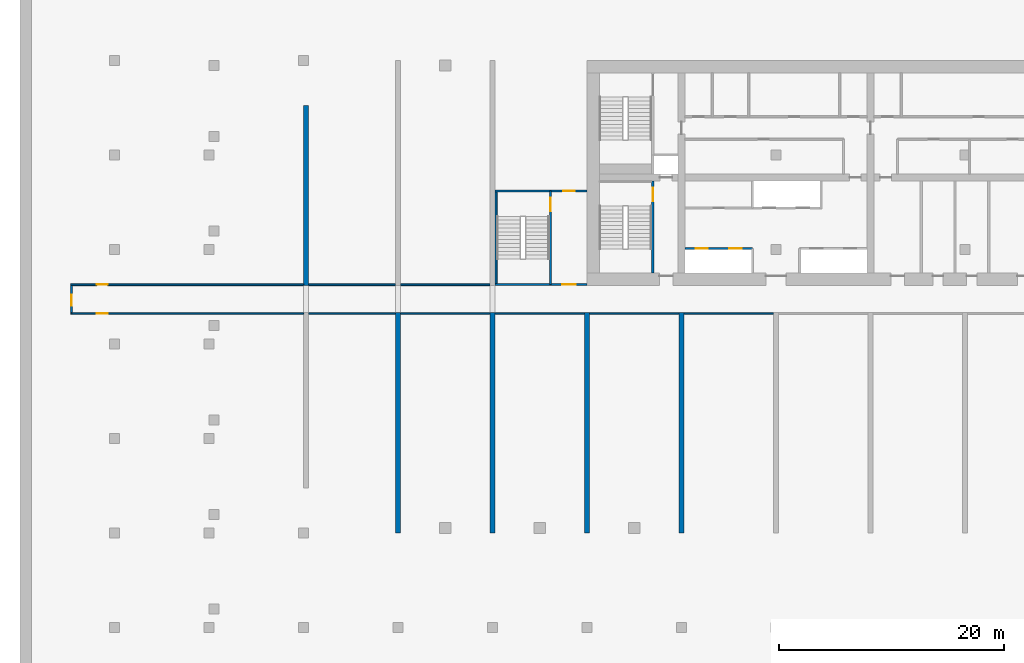
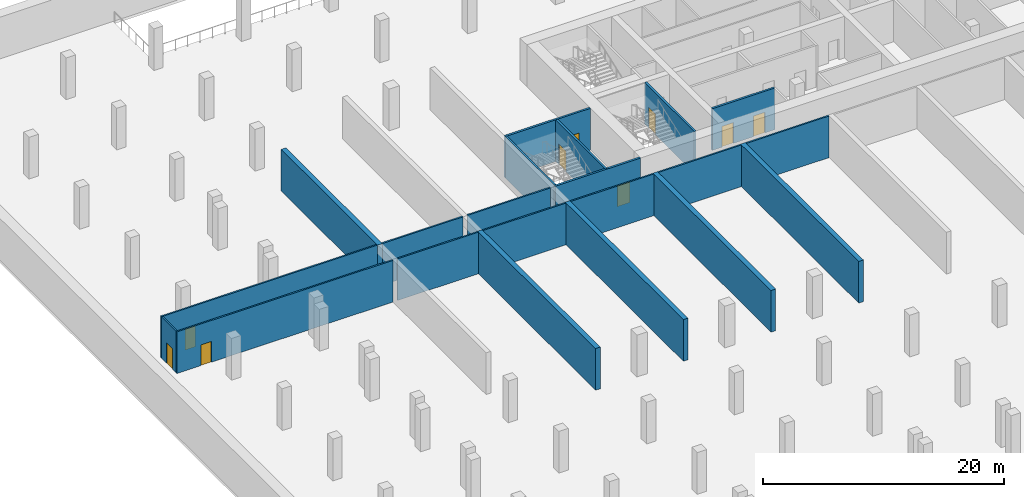
# One storey, part 3 of 13: 21 walls, 9 doors, 9 openings.
"""IFC4 building model written with IfcOpenShell, lengths in metres."""

from ifc_helpers import new_model, si_unit, direction, frame, frame_2d, origin, place, context, subcontext, project, spatial, rectangle, extrude, source, transform, mapped, material, layer, layer_set, type_object, element, fill, save


model = new_model("IFC4")

# Units and contexts
model_context = context("Model", 3, precision=1e-05, world=origin(), true_north=direction((0.0, 1.0)))
body_context = subcontext(model_context, "Body", "Model", "MODEL_VIEW")
ifc_project = project(units=[si_unit("LENGTHUNIT", "METRE"), si_unit("AREAUNIT", "SQUARE_METRE"), si_unit("VOLUMEUNIT", "CUBIC_METRE"), si_unit("PLANEANGLEUNIT", "RADIAN"), si_unit("MASSUNIT", "GRAM", prefix="KILO")], contexts=[model_context])

# Site, building, storey
site_placement = place(None, origin())
site = spatial("IfcSite", under=ifc_project, at=site_placement, CompositionType="ELEMENT")
building_placement = place(site_placement, origin())
building = spatial("IfcBuilding", under=site, at=building_placement, Name="Vanashikhar Sky Hotel", CompositionType="ELEMENT")
storey_placement = place(building_placement, frame((0.0, 0.0, -9.0)))
storey = spatial("IfcBuildingStorey", under=building, at=storey_placement, Name="B2", CompositionType="ELEMENT", Elevation=-9.0)

# Walls
ifc_material_1 = material(Name="Concrete M80", Category="concrete")
ifc_layer_1 = layer(ifc_material_1, 0.449951171875)
ifc_layer_set_1 = layer_set([ifc_layer_1], Name="RC shear wall 450 Concrete M80")
wall_type_1 = type_object("IfcWallType", Name="RC shear wall 450 Concrete M80", PredefinedType="SHEAR", material=ifc_layer_set_1)
shared_shape_1 = source(origin(), body_context, "Body", "SweptSolid", [
    extrude(rectangle(XDim=16.0, YDim=0.449951171875, at=frame_2d((8.0, 0.0))), origin(), (0.0, 0.0, 1.0), 4.219970703125),
])
wall_1_placement = place(storey_placement, frame((0.22509765625, 22.0, 0.0), z_axis=(0.0, 0.0, 1.0), x_axis=(0.0, 1.0, 0.0)))
element("IfcWall", 1, at=wall_1_placement, inside=storey, type_object=wall_type_1, Name="CW-B2-XW01-2", PredefinedType="SHEAR", context=body_context, shape_type="MappedRepresentation", body=[
    mapped(shared_shape_1, transform((0.0, 0.0, 0.0), scale=1.0)),
])
shared_shape_2 = source(origin(), body_context, "Body", "SweptSolid", [
    extrude(rectangle(XDim=19.60009765625, YDim=0.449951171875, at=frame_2d((9.800048828125, 0.0))), origin(), (0.0, 0.0, 1.0), 4.219970703125),
])
for number, where, z_axis, x_axis, name in (
    (2, (8.39990234375, 0.0, 0.0), (0.0, 0.0, 1.0), (0.0, 1.0, 0.0), "CW-B2-XW02-1"),
    (3, (16.800048828125, 0.0, 0.0), (0.0, 0.0, 1.0), (0.0, 1.0, 0.0), "CW-B2-XW03-1"),
    (4, (25.199951171875, 0.0, 0.0), (0.0, 0.0, 1.0), (0.0, 1.0, 0.0), "CW-B2-XW04-1"),
    (5, (33.60009765625, 0.0, 0.0), (0.0, 0.0, 1.0), (0.0, 1.0, 0.0), "CW-B2-XW05-1"),
):
    element("IfcWall", number, at=place(storey_placement, frame(where, z_axis=z_axis, x_axis=x_axis)), inside=storey, type_object=wall_type_1, Name=name, PredefinedType="SHEAR", context=body_context, shape_type="MappedRepresentation", body=[
        mapped(shared_shape_2, transform((0.0, 0.0, 0.0), scale=1.0)),
    ])

# Wall, openings, doors
ifc_material_2 = material(Name="Concrete M40", Category="concrete")
ifc_layer_2 = layer(ifc_material_2, 0.199951171875)
ifc_layer_set_2 = layer_set([ifc_layer_2], Name="Shaft wall 200")
wall_type_2 = type_object("IfcWallType", Name="Shaft wall 200", PredefinedType="SOLIDWALL", material=ifc_layer_set_2)
shared_shape_3 = source(origin(), body_context, "Body", "SweptSolid", [
    extrude(rectangle(XDim=6.0, YDim=0.199951171875, at=frame_2d((3.0, 0.0))), origin(), (0.0, 0.0, 1.0), 4.219970703125),
])
wall_2_placement = place(storey_placement, frame((33.89990234375, 25.300048828125, 0.0), z_axis=(0.0, 0.0, 1.0), x_axis=(1.0, 0.0, 0.0)))
wall_2 = element("IfcWall", 6, at=wall_2_placement, inside=storey, type_object=wall_type_2, Name="Shaft wall 200", PredefinedType="SOLIDWALL", context=body_context, shape_type="MappedRepresentation", body=[
    mapped(shared_shape_3, transform((0.0, 0.0, 0.0), scale=1.0)),
])
shared_shape_4 = source(origin(), body_context, "Body", "SweptSolid", [
    extrude(rectangle(XDim=1.10009765625, YDim=2.10009765625, at=frame_2d((0.550048828125, 1.050048828125))), frame((0.0, 0.10986328125, 0.0), z_axis=(0.0, -1.0, 0.0), x_axis=(1.0, 0.0, 0.0)), (0.0, 0.0, 1.0), 0.219970703125),
])
opening_1_placement = place(wall_2_placement, frame((0.949951171875, 0.0, 0.0)))
opening_1 = element("IfcOpeningElement", 7, at=opening_1_placement, cuts=wall_2, Name="Opening LD", PredefinedType="OPENING", context=body_context, shape_type="MappedRepresentation", body=[
    mapped(shared_shape_4, transform((0.0, 0.0, 0.0), scale=1.0)),
])
opening_2_placement = place(wall_2_placement, frame((3.949951171875, 0.0, 0.0)))
opening_2 = element("IfcOpeningElement", 8, at=opening_2_placement, cuts=wall_2, Name="Opening LD", PredefinedType="OPENING", context=body_context, shape_type="MappedRepresentation", body=[
    mapped(shared_shape_4, transform((0.0, 0.0, 0.0), scale=1.0)),
])
ifc_material_3 = material(Name="Stainless steel", Category="steel")
door_type_1 = type_object("IfcDoorType", Name="Lift landing door 1100", OperationType="NOTDEFINED", PredefinedType="DOOR", material=ifc_material_3)
shared_shape_5 = source(origin(), body_context, "Body", "SweptSolid", [
    extrude(rectangle(XDim=1.10009765625, YDim=2.10009765625, at=frame_2d((0.550048828125, 1.050048828125))), frame((0.0, 0.02490234375, 0.0), z_axis=(0.0, -1.0, 0.0), x_axis=(1.0, 0.0, 0.0)), (0.0, 0.0, 1.0), 0.050048828125),
])
door_1_placement = place(opening_1_placement, origin())
door_1 = element("IfcDoor", 9, at=door_1_placement, inside=storey, type_object=door_type_1, Name="Lift landing door 1100", OperationType="SLIDING_TO_LEFT", OverallHeight=2.10009765625, OverallWidth=1.10009765625, PredefinedType="DOOR", context=body_context, shape_type="MappedRepresentation", body=[
    mapped(shared_shape_5, transform((0.0, 0.0, 0.0), scale=1.0)),
])
fill(opening_1, door_1)
door_2_placement = place(opening_2_placement, origin())
door_2 = element("IfcDoor", 10, at=door_2_placement, inside=storey, type_object=door_type_1, Name="Lift landing door 1100", OperationType="SLIDING_TO_RIGHT", OverallHeight=2.10009765625, OverallWidth=1.10009765625, PredefinedType="DOOR", context=body_context, shape_type="MappedRepresentation", body=[
    mapped(shared_shape_5, transform((0.0, 0.0, 0.0), scale=1.0)),
])
fill(opening_2, door_2)

# Wall, opening, door
ifc_material_4 = material(Name="Concrete M50", Category="concrete")
ifc_layer_3 = layer(ifc_material_4, 0.199951171875)
ifc_layer_set_3 = layer_set([ifc_layer_3], Name="Stair wall 200")
wall_type_3 = type_object("IfcWallType", Name="Stair wall 200", PredefinedType="SOLIDWALL", material=ifc_layer_set_3)
shared_shape_6 = source(origin(), body_context, "Body", "SweptSolid", [
    extrude(rectangle(XDim=8.199951171875, YDim=0.199951171875, at=frame_2d((4.10009765625, 0.0))), origin(), (0.0, 0.0, 1.0), 4.219970703125),
])
wall_3_placement = place(storey_placement, frame((31.050048828125, 23.10009765625, 0.0), z_axis=(0.0, 0.0, 1.0), x_axis=(0.0, 1.0, 0.0)))
wall_3 = element("IfcWall", 11, at=wall_3_placement, inside=storey, type_object=wall_type_3, Name="Stair wall 200", PredefinedType="SOLIDWALL", context=body_context, shape_type="MappedRepresentation", body=[
    mapped(shared_shape_6, transform((0.0, 0.0, 0.0), scale=1.0)),
])
shared_shape_7 = source(origin(), body_context, "Body", "SweptSolid", [
    extrude(rectangle(XDim=1.199951171875, YDim=2.10009765625, at=frame_2d((0.60009765625, 1.050048828125))), frame((0.0, 0.10986328125, 0.0), z_axis=(0.0, -1.0, 0.0), x_axis=(1.0, 0.0, 0.0)), (0.0, 0.0, 1.0), 0.219970703125),
])
opening_3_placement = place(wall_3_placement, frame((6.39990234375, 0.0, 0.0)))
opening_3 = element("IfcOpeningElement", 12, at=opening_3_placement, cuts=wall_3, Name="Opening DC-1", PredefinedType="OPENING", context=body_context, shape_type="MappedRepresentation", body=[
    mapped(shared_shape_7, transform((0.0, 0.0, 0.0), scale=1.0)),
])
ifc_material_5 = material(Name="Steel", Category="steel")
door_type_2 = type_object("IfcDoorType", Name="Stair door 1200 FD120", OperationType="NOTDEFINED", PredefinedType="DOOR", material=ifc_material_5)
shared_shape_8 = source(origin(), body_context, "Body", "SweptSolid", [
    extrude(rectangle(XDim=1.199951171875, YDim=2.10009765625, at=frame_2d((0.60009765625, 1.050048828125))), frame((0.0, 0.02490234375, 0.0), z_axis=(0.0, -1.0, 0.0), x_axis=(1.0, 0.0, 0.0)), (0.0, 0.0, 1.0), 0.050048828125),
])
door_3_placement = place(opening_3_placement, origin())
door_3 = element("IfcDoor", 13, at=door_3_placement, inside=storey, type_object=door_type_2, Name="Stair door 1200 FD120", OperationType="SINGLE_SWING_LEFT", OverallHeight=2.10009765625, OverallWidth=1.199951171875, PredefinedType="DOOR", context=body_context, shape_type="MappedRepresentation", body=[
    mapped(shared_shape_8, transform((0.0, 0.0, 0.0), scale=1.0)),
])
fill(opening_3, door_3)

shared_shape_9 = source(origin(), body_context, "Body", "SweptSolid", [
    extrude(rectangle(XDim=8.2998046875, YDim=0.199951171875, at=frame_2d((4.14990234375, 0.0))), origin(), (0.0, 0.0, 1.0), 4.219970703125),
])
wall_4_placement = place(storey_placement, frame((21.949951171875, 22.10009765625, 0.0), z_axis=(0.0, 0.0, 1.0), x_axis=(0.0, 1.0, 0.0)))
wall_4 = element("IfcWall", 14, at=wall_4_placement, inside=storey, type_object=wall_type_3, Name="Stair wall 200", PredefinedType="SOLIDWALL", context=body_context, shape_type="MappedRepresentation", body=[
    mapped(shared_shape_9, transform((0.0, 0.0, 0.0), scale=1.0)),
])
opening_4_placement = place(wall_4_placement, frame((6.5, 0.0, 0.0)))
opening_4 = element("IfcOpeningElement", 15, at=opening_4_placement, cuts=wall_4, Name="Opening DC-1", PredefinedType="OPENING", context=body_context, shape_type="MappedRepresentation", body=[
    mapped(shared_shape_7, transform((0.0, 0.0, 0.0), scale=1.0)),
])
door_4_placement = place(opening_4_placement, origin())
door_4 = element("IfcDoor", 16, at=door_4_placement, inside=storey, type_object=door_type_2, Name="Stair door 1200 FD120", OperationType="SINGLE_SWING_RIGHT", OverallHeight=2.10009765625, OverallWidth=1.199951171875, PredefinedType="DOOR", context=body_context, shape_type="MappedRepresentation", body=[
    mapped(shared_shape_8, transform((0.0, 0.0, 0.0), scale=1.0)),
])
fill(opening_4, door_4)

shared_shape_10 = source(origin(), body_context, "Body", "SweptSolid", [
    extrude(rectangle(XDim=8.175048828125, YDim=0.199951171875, at=frame_2d((4.08740234375, 0.0))), origin(), (0.0, 0.0, 1.0), 4.219970703125),
])
wall_5_placement = place(storey_placement, frame((17.02490234375, 22.10009765625, 0.0), z_axis=(0.0, 0.0, 1.0), x_axis=(1.0, 0.0, 0.0)))
wall_5 = element("IfcWall", 17, at=wall_5_placement, inside=storey, type_object=wall_type_3, Name="Stair wall 200", PredefinedType="SOLIDWALL", context=body_context, shape_type="MappedRepresentation", body=[
    mapped(shared_shape_10, transform((0.0, 0.0, 0.0), scale=1.0)),
])
opening_5_placement = place(wall_5_placement, frame((5.97509765625, 0.0, 0.0)))
opening_5 = element("IfcOpeningElement", 18, at=opening_5_placement, cuts=wall_5, Name="Opening DC-2", PredefinedType="OPENING", context=body_context, shape_type="MappedRepresentation", body=[
    mapped(shared_shape_7, transform((0.0, 0.0, 0.0), scale=1.0)),
])
door_type_3 = type_object("IfcDoorType", Name="Firefighting lobby door 1200 FD120", OperationType="NOTDEFINED", PredefinedType="DOOR", material=ifc_material_5)
door_5_placement = place(opening_5_placement, origin())
door_5 = element("IfcDoor", 19, at=door_5_placement, inside=storey, type_object=door_type_3, Name="Firefighting lobby door 1200 FD120", OperationType="SINGLE_SWING_RIGHT", OverallHeight=2.10009765625, OverallWidth=1.199951171875, PredefinedType="DOOR", context=body_context, shape_type="MappedRepresentation", body=[
    mapped(shared_shape_8, transform((0.0, 0.0, 0.0), scale=1.0)),
])
fill(opening_5, door_5)

wall_6_placement = place(storey_placement, frame((17.02490234375, 30.39990234375, 0.0), z_axis=(0.0, 0.0, 1.0), x_axis=(1.0, 0.0, 0.0)))
wall_6 = element("IfcWall", 20, at=wall_6_placement, inside=storey, type_object=wall_type_3, Name="Stair wall 200", PredefinedType="SOLIDWALL", context=body_context, shape_type="MappedRepresentation", body=[
    mapped(shared_shape_10, transform((0.0, 0.0, 0.0), scale=1.0)),
])
shared_shape_11 = source(origin(), body_context, "Body", "SweptSolid", [
    extrude(rectangle(XDim=1.0, YDim=2.10009765625, at=frame_2d((0.5, 1.050048828125))), frame((0.0, 0.10986328125, 0.0), z_axis=(0.0, -1.0, 0.0), x_axis=(1.0, 0.0, 0.0)), (0.0, 0.0, 1.0), 0.219970703125),
])
opening_6_placement = place(wall_6_placement, frame((6.074951171875, 0.0, 0.0)))
opening_6 = element("IfcOpeningElement", 21, at=opening_6_placement, cuts=wall_6, Name="Opening DC-6", PredefinedType="OPENING", context=body_context, shape_type="MappedRepresentation", body=[
    mapped(shared_shape_11, transform((0.0, 0.0, 0.0), scale=1.0)),
])
door_type_4 = type_object("IfcDoorType", Name="Pocket door 1000 FD60", OperationType="NOTDEFINED", PredefinedType="DOOR", material=ifc_material_5)
shared_shape_12 = source(origin(), body_context, "Body", "SweptSolid", [
    extrude(rectangle(XDim=1.0, YDim=2.10009765625, at=frame_2d((0.5, 1.050048828125))), frame((0.0, 0.02490234375, 0.0), z_axis=(0.0, -1.0, 0.0), x_axis=(1.0, 0.0, 0.0)), (0.0, 0.0, 1.0), 0.050048828125),
])
door_6_placement = place(opening_6_placement, origin())
door_6 = element("IfcDoor", 22, at=door_6_placement, inside=storey, type_object=door_type_4, Name="Pocket door 1000 FD60", OperationType="SINGLE_SWING_RIGHT", OverallHeight=2.10009765625, OverallWidth=1.0, PredefinedType="DOOR", context=body_context, shape_type="MappedRepresentation", body=[
    mapped(shared_shape_12, transform((0.0, 0.0, 0.0), scale=1.0)),
])
fill(opening_6, door_6)

# Wall
ifc_layer_4 = layer(ifc_material_4, 0.175048828125)
ifc_layer_set_4 = layer_set([ifc_layer_4], Name="Stair infill wall 175")
wall_type_4 = type_object("IfcWallType", Name="Stair infill wall 175", PredefinedType="SOLIDWALL", material=ifc_layer_set_4)
shared_shape_13 = source(origin(), body_context, "Body", "SweptSolid", [
    extrude(rectangle(XDim=8.10009765625, YDim=0.175048828125, at=frame_2d((4.050048828125, 0.0))), origin(), (0.0, 0.0, 1.0), 4.219970703125),
])
wall_7_placement = place(storey_placement, frame((17.112060546875, 22.199951171875, 0.0), z_axis=(0.0, 0.0, 1.0), x_axis=(0.0, 1.0, 0.0)))
element("IfcWall", 23, at=wall_7_placement, inside=storey, type_object=wall_type_4, Name="Stair infill wall 175", PredefinedType="SOLIDWALL", context=body_context, shape_type="MappedRepresentation", body=[
    mapped(shared_shape_13, transform((0.0, 0.0, 0.0), scale=1.0)),
])

# Wall, opening, door
ifc_material_6 = material(Name="Concrete M30", Category="concrete")
ifc_layer_5 = layer(ifc_material_6, 0.14990234375)
ifc_layer_set_5 = layer_set([ifc_layer_5], Name="Car park partition 150 mm")
wall_type_5 = type_object("IfcWallType", Name="Car park partition 150 mm", PredefinedType="PARTITIONING", material=ifc_layer_set_5)
shared_shape_14 = source(origin(), body_context, "Body", "SweptSolid", [
    extrude(rectangle(XDim=2.39990234375, YDim=0.14990234375, at=frame_2d((1.199951171875, 0.0))), origin(), (0.0, 0.0, 1.0), 4.219970703125),
])
wall_8_placement = place(storey_placement, frame((-20.625, 19.60009765625, 0.0), z_axis=(0.0, 0.0, 1.0), x_axis=(0.0, 1.0, 0.0)))
wall_8 = element("IfcWall", 24, at=wall_8_placement, inside=storey, type_object=wall_type_5, Name="Car park partition", PredefinedType="PARTITIONING", context=body_context, shape_type="MappedRepresentation", body=[
    mapped(shared_shape_14, transform((0.0, 0.0, 0.0), scale=1.0)),
])
shared_shape_15 = source(origin(), body_context, "Body", "SweptSolid", [
    extrude(rectangle(XDim=1.0, YDim=2.10009765625, at=frame_2d((0.5, 1.050048828125))), frame((0.0, 0.0849609375, 0.0), z_axis=(0.0, -1.0, 0.0), x_axis=(1.0, 0.0, 0.0)), (0.0, 0.0, 1.0), 0.169921875),
])
opening_7_placement = place(wall_8_placement, frame((0.60009765625, 0.0, 0.0)))
opening_7 = element("IfcOpeningElement", 25, at=opening_7_placement, cuts=wall_8, Name="Opening PD-05", PredefinedType="OPENING", context=body_context, shape_type="MappedRepresentation", body=[
    mapped(shared_shape_15, transform((0.0, 0.0, 0.0), scale=1.0)),
])
ifc_material_7 = material(Name="Steel S355", Category="steel")
door_type_5 = type_object("IfcDoorType", Name="Car park lobby door 1000 FD120", OperationType="NOTDEFINED", PredefinedType="DOOR", material=ifc_material_7)
door_7_placement = place(opening_7_placement, origin())
door_7 = element("IfcDoor", 26, at=door_7_placement, inside=storey, type_object=door_type_5, Name="Car park lobby door", OperationType="SINGLE_SWING_LEFT", OverallHeight=2.10009765625, OverallWidth=1.0, PredefinedType="DOOR", context=body_context, shape_type="MappedRepresentation", body=[
    mapped(shared_shape_12, transform((0.0, 0.0, 0.0), scale=1.0)),
])
fill(opening_7, door_7)

shared_shape_16 = source(origin(), body_context, "Body", "SweptSolid", [
    extrude(rectangle(XDim=20.699951171875, YDim=0.14990234375, at=frame_2d((10.35009765625, 0.0))), origin(), (0.0, 0.0, 1.0), 4.219970703125),
])
wall_9_placement = place(storey_placement, frame((-20.699951171875, 19.52490234375, 0.0), z_axis=(0.0, 0.0, 1.0), x_axis=(1.0, 0.0, 0.0)))
wall_9 = element("IfcWall", 27, at=wall_9_placement, inside=storey, type_object=wall_type_5, Name="Car park partition", PredefinedType="PARTITIONING", context=body_context, shape_type="MappedRepresentation", body=[
    mapped(shared_shape_16, transform((0.0, 0.0, 0.0), scale=1.0)),
])
opening_8_placement = place(wall_9_placement, frame((2.300048828125, 0.0, 0.0)))
opening_8 = element("IfcOpeningElement", 28, at=opening_8_placement, cuts=wall_9, Name="Opening PD-01", PredefinedType="OPENING", context=body_context, shape_type="MappedRepresentation", body=[
    mapped(shared_shape_15, transform((0.0, 0.0, 0.0), scale=1.0)),
])
door_8_placement = place(opening_8_placement, origin())
door_8 = element("IfcDoor", 29, at=door_8_placement, inside=storey, type_object=door_type_5, Name="Car park lobby door", OperationType="SINGLE_SWING_LEFT", OverallHeight=2.10009765625, OverallWidth=1.0, PredefinedType="DOOR", context=body_context, shape_type="MappedRepresentation", body=[
    mapped(shared_shape_12, transform((0.0, 0.0, 0.0), scale=1.0)),
])
fill(opening_8, door_8)

wall_10_placement = place(storey_placement, frame((-20.699951171875, 22.074951171875, 0.0), z_axis=(0.0, 0.0, 1.0), x_axis=(1.0, 0.0, 0.0)))
wall_10 = element("IfcWall", 30, at=wall_10_placement, inside=storey, type_object=wall_type_5, Name="Car park partition", PredefinedType="PARTITIONING", context=body_context, shape_type="MappedRepresentation", body=[
    mapped(shared_shape_16, transform((0.0, 0.0, 0.0), scale=1.0)),
])
opening_9_placement = place(wall_10_placement, frame((2.300048828125, 0.0, 0.0)))
opening_9 = element("IfcOpeningElement", 31, at=opening_9_placement, cuts=wall_10, Name="Opening PD-02", PredefinedType="OPENING", context=body_context, shape_type="MappedRepresentation", body=[
    mapped(shared_shape_15, transform((0.0, 0.0, 0.0), scale=1.0)),
])
door_9_placement = place(opening_9_placement, origin())
door_9 = element("IfcDoor", 32, at=door_9_placement, inside=storey, type_object=door_type_5, Name="Car park lobby door", OperationType="SINGLE_SWING_RIGHT", OverallHeight=2.10009765625, OverallWidth=1.0, PredefinedType="DOOR", context=body_context, shape_type="MappedRepresentation", body=[
    mapped(shared_shape_12, transform((0.0, 0.0, 0.0), scale=1.0)),
])
fill(opening_9, door_9)

# Walls
shared_shape_17 = source(origin(), body_context, "Body", "SweptSolid", [
    extrude(rectangle(XDim=7.72509765625, YDim=0.14990234375, at=frame_2d((3.862548828125, 0.0))), origin(), (0.0, 0.0, 1.0), 4.219970703125),
])
for number, where, z_axis, x_axis, name in (
    (33, (0.449951171875, 19.52490234375, 0.0), (0.0, 0.0, 1.0), (1.0, 0.0, 0.0), "Car park partition"),
    (34, (0.449951171875, 22.074951171875, 0.0), (0.0, 0.0, 1.0), (1.0, 0.0, 0.0), "Car park partition"),
):
    element("IfcWall", number, at=place(storey_placement, frame(where, z_axis=z_axis, x_axis=x_axis)), inside=storey, type_object=wall_type_5, Name=name, PredefinedType="PARTITIONING", context=body_context, shape_type="MappedRepresentation", body=[
        mapped(shared_shape_17, transform((0.0, 0.0, 0.0), scale=1.0)),
    ])
shared_shape_18 = source(origin(), body_context, "Body", "SweptSolid", [
    extrude(rectangle(XDim=7.949951171875, YDim=0.14990234375, at=frame_2d((3.97509765625, 0.0))), origin(), (0.0, 0.0, 1.0), 4.219970703125),
])
for number, where, z_axis, x_axis, name in (
    (35, (8.625, 19.52490234375, 0.0), (0.0, 0.0, 1.0), (1.0, 0.0, 0.0), "Car park partition"),
    (36, (8.625, 22.074951171875, 0.0), (0.0, 0.0, 1.0), (1.0, 0.0, 0.0), "Car park partition"),
    (37, (25.425048828125, 19.52490234375, 0.0), (0.0, 0.0, 1.0), (1.0, 0.0, 0.0), "Car park partition"),
    (38, (33.824951171875, 19.52490234375, 0.0), (0.0, 0.0, 1.0), (1.0, 0.0, 0.0), "Car park partition"),
):
    element("IfcWall", number, at=place(storey_placement, frame(where, z_axis=z_axis, x_axis=x_axis)), inside=storey, type_object=wall_type_5, Name=name, PredefinedType="PARTITIONING", context=body_context, shape_type="MappedRepresentation", body=[
        mapped(shared_shape_18, transform((0.0, 0.0, 0.0), scale=1.0)),
    ])
shared_shape_19 = source(origin(), body_context, "Body", "SweptSolid", [
    extrude(rectangle(XDim=7.9501953125, YDim=0.14990234375, at=frame_2d((3.97509765625, 0.0))), origin(), (0.0, 0.0, 1.0), 4.219970703125),
])
wall_11_placement = place(storey_placement, frame((17.02490234375, 19.52490234375, 0.0), z_axis=(0.0, 0.0, 1.0), x_axis=(1.0, 0.0, 0.0)))
element("IfcWall", 39, at=wall_11_placement, inside=storey, type_object=wall_type_5, Name="Car park partition", PredefinedType="PARTITIONING", context=body_context, shape_type="MappedRepresentation", body=[
    mapped(shared_shape_19, transform((0.0, 0.0, 0.0), scale=1.0)),
])

save(model, "model.ifc")
